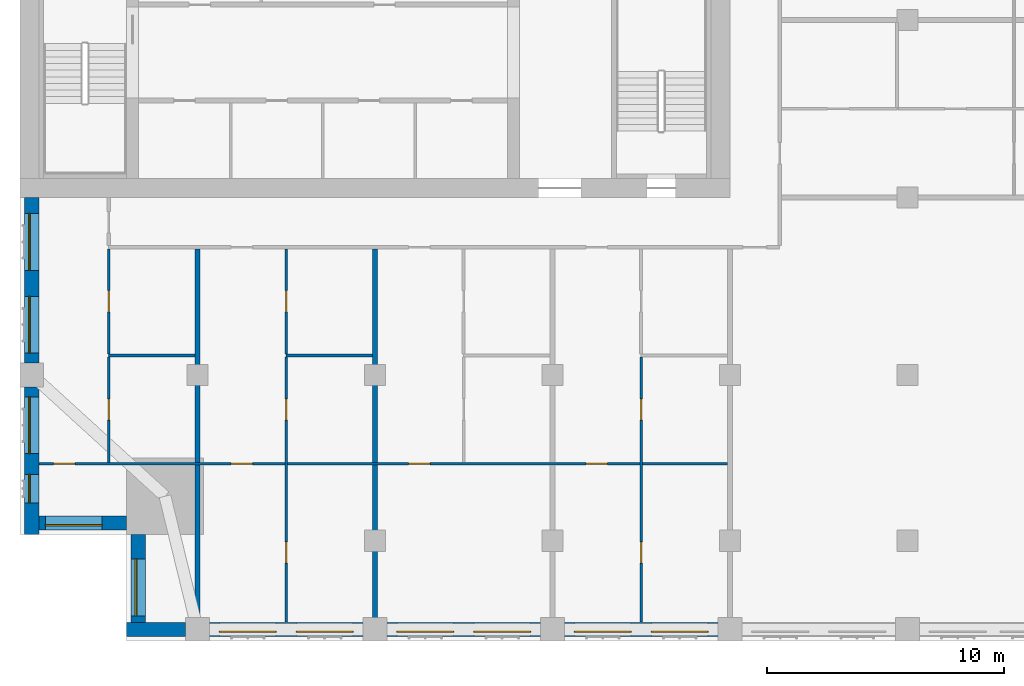
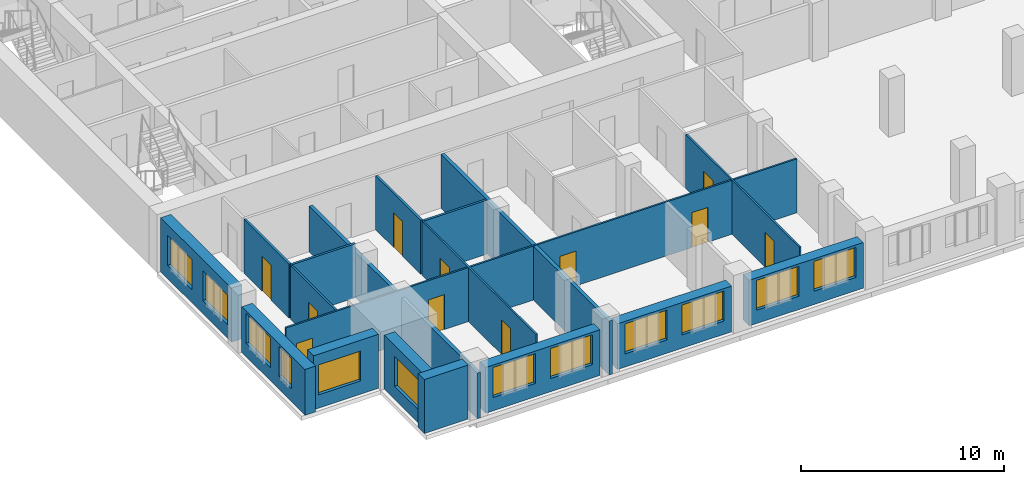
# One storey, part 6 of 14: 18 walls, 12 windows, 11 doors, 23 openings.
"""IFC4 building model written with IfcOpenShell, lengths in metres."""

from ifc_helpers import new_model, si_unit, direction, frame, frame_2d, origin, place, context, subcontext, project, spatial, rectangle, extrude, material, layer, layer_set, type_object, element, fill, save


model = new_model("IFC4")

# Units and contexts
model_context = context("Model", 3, precision=1e-05, world=origin(), true_north=direction((0.0, 1.0)))
body_context = subcontext(model_context, "Body", "Model", "MODEL_VIEW")
ifc_project = project(units=[si_unit("LENGTHUNIT", "METRE"), si_unit("AREAUNIT", "SQUARE_METRE"), si_unit("VOLUMEUNIT", "CUBIC_METRE"), si_unit("PLANEANGLEUNIT", "RADIAN"), si_unit("MASSUNIT", "GRAM", prefix="KILO")], contexts=[model_context])

# Site, building, storey
site_placement = place(None, origin())
site = spatial("IfcSite", under=ifc_project, at=site_placement, CompositionType="ELEMENT")
building_placement = place(site_placement, origin())
building = spatial("IfcBuilding", under=site, at=building_placement, Name="Tamorin Gate", CompositionType="ELEMENT")
storey_placement = place(building_placement, frame((0.0, 0.0, 200.199951171875)))
storey = spatial("IfcBuildingStorey", under=building, at=storey_placement, Name="L49", CompositionType="ELEMENT", Elevation=200.199951171875)

# Wall
ifc_material_1 = material(Name="Precast concrete C40/50", Category="concrete")
ifc_layer_1 = layer(ifc_material_1, 0.60009765625)
ifc_layer_set_1 = layer_set([ifc_layer_1], Name="Precast concrete C40/50")
wall_type_1 = type_object("IfcWallType", Name="Board-marked concrete facade panel 600", PredefinedType="SOLIDWALL", material=ifc_layer_set_1)
wall_1_placement = place(storey_placement, frame((34.5, 41.75, 0.0), z_axis=(0.0, 0.0, 1.0), x_axis=(1.0, 0.0, 0.0)))
element("IfcWall", 1, at=wall_1_placement, inside=storey, type_object=wall_type_1, Name="Facade panel", PredefinedType="SOLIDWALL", context=body_context, shape_type="SweptSolid", body=[
    extrude(rectangle(XDim=2.5, YDim=0.60009765625, at=frame_2d((1.25, 0.0))), origin(), (0.0, 0.0, 1.0), 3.25),
])

# Wall, openings, windows
wall_2_placement = place(storey_placement, frame((38.0, 41.75, 0.0), z_axis=(0.0, 0.0, 1.0), x_axis=(1.0, 0.0, 0.0)))
wall_2 = element("IfcWall", 2, at=wall_2_placement, inside=storey, type_object=wall_type_1, Name="Facade panel", PredefinedType="SOLIDWALL", context=body_context, shape_type="SweptSolid", body=[
    extrude(rectangle(XDim=6.5, YDim=0.60009765625, at=frame_2d((3.25, 0.0))), origin(), (0.0, 0.0, 1.0), 2.75),
])
opening_1_placement = place(wall_2_placement, frame((0.425048828125, 0.0, 0.800048828125)))
opening_1 = element("IfcOpeningElement", 3, at=opening_1_placement, cuts=wall_2, Name="Opening WN1", PredefinedType="OPENING", context=body_context, shape_type="SweptSolid", body=[
    extrude(rectangle(XDim=2.39990234375, YDim=1.800048828125, at=frame_2d((1.199951171875, 0.89990234375))), frame((0.0, 0.31005859375, 0.0), z_axis=(0.0, -1.0, 0.0), x_axis=(1.0, 0.0, 0.0)), (0.0, 0.0, 1.0), 0.6201171875),
])
opening_2_placement = place(wall_2_placement, frame((3.675048828125, 0.0, 0.800048828125)))
opening_2 = element("IfcOpeningElement", 4, at=opening_2_placement, cuts=wall_2, Name="Opening WN1", PredefinedType="OPENING", context=body_context, shape_type="SweptSolid", body=[
    extrude(rectangle(XDim=2.39990234375, YDim=1.800048828125, at=frame_2d((1.199951171875, 0.89990234375))), frame((0.0, 0.31005859375, 0.0), z_axis=(0.0, -1.0, 0.0), x_axis=(1.0, 0.0, 0.0)), (0.0, 0.0, 1.0), 0.6201171875),
])
ifc_material_2 = material(Name="Clear glass in aluminium frame", Category="aluminium")
window_type_1 = type_object("IfcWindowType", Name="Deep-set window 2400x1800", PartitioningType="SINGLE_PANEL", PredefinedType="WINDOW", material=ifc_material_2)
window_1_placement = place(opening_1_placement, origin())
window_1 = element("IfcWindow", 5, at=window_1_placement, inside=storey, type_object=window_type_1, Name="Deep-set window", OverallHeight=1.800048828125, OverallWidth=2.39990234375, PartitioningType="SINGLE_PANEL", PredefinedType="WINDOW", context=body_context, shape_type="SweptSolid", body=[
    extrude(rectangle(XDim=2.39990234375, YDim=1.800048828125, at=frame_2d((1.199951171875, 0.89990234375))), frame((0.0, -0.070068359375, 0.0), z_axis=(0.0, -1.0, 0.0), x_axis=(1.0, 0.0, 0.0)), (0.0, 0.0, 1.0), 0.06005859375),
])
fill(opening_1, window_1)
window_2_placement = place(opening_2_placement, origin())
window_2 = element("IfcWindow", 6, at=window_2_placement, inside=storey, type_object=window_type_1, Name="Deep-set window", OverallHeight=1.800048828125, OverallWidth=2.39990234375, PartitioningType="SINGLE_PANEL", PredefinedType="WINDOW", context=body_context, shape_type="SweptSolid", body=[
    extrude(rectangle(XDim=2.39990234375, YDim=1.800048828125, at=frame_2d((1.199951171875, 0.89990234375))), frame((0.0, -0.070068359375, 0.0), z_axis=(0.0, -1.0, 0.0), x_axis=(1.0, 0.0, 0.0)), (0.0, 0.0, 1.0), 0.06005859375),
])
fill(opening_2, window_2)

wall_3_placement = place(storey_placement, frame((45.5, 41.75, 0.0), z_axis=(0.0, 0.0, 1.0), x_axis=(1.0, 0.0, 0.0)))
wall_3 = element("IfcWall", 7, at=wall_3_placement, inside=storey, type_object=wall_type_1, Name="Facade panel", PredefinedType="SOLIDWALL", context=body_context, shape_type="SweptSolid", body=[
    extrude(rectangle(XDim=6.5, YDim=0.60009765625, at=frame_2d((3.25, 0.0))), origin(), (0.0, 0.0, 1.0), 2.75),
])
opening_3_placement = place(wall_3_placement, frame((0.425048828125, 0.0, 0.800048828125)))
opening_3 = element("IfcOpeningElement", 8, at=opening_3_placement, cuts=wall_3, Name="Opening WN1", PredefinedType="OPENING", context=body_context, shape_type="SweptSolid", body=[
    extrude(rectangle(XDim=2.39990234375, YDim=1.800048828125, at=frame_2d((1.199951171875, 0.89990234375))), frame((0.0, 0.31005859375, 0.0), z_axis=(0.0, -1.0, 0.0), x_axis=(1.0, 0.0, 0.0)), (0.0, 0.0, 1.0), 0.6201171875),
])
opening_4_placement = place(wall_3_placement, frame((3.675048828125, 0.0, 0.800048828125)))
opening_4 = element("IfcOpeningElement", 9, at=opening_4_placement, cuts=wall_3, Name="Opening WN1", PredefinedType="OPENING", context=body_context, shape_type="SweptSolid", body=[
    extrude(rectangle(XDim=2.39990234375, YDim=1.800048828125, at=frame_2d((1.199951171875, 0.89990234375))), frame((0.0, 0.31005859375, 0.0), z_axis=(0.0, -1.0, 0.0), x_axis=(1.0, 0.0, 0.0)), (0.0, 0.0, 1.0), 0.6201171875),
])
window_3_placement = place(opening_3_placement, origin())
window_3 = element("IfcWindow", 10, at=window_3_placement, inside=storey, type_object=window_type_1, Name="Deep-set window", OverallHeight=1.800048828125, OverallWidth=2.39990234375, PartitioningType="SINGLE_PANEL", PredefinedType="WINDOW", context=body_context, shape_type="SweptSolid", body=[
    extrude(rectangle(XDim=2.39990234375, YDim=1.800048828125, at=frame_2d((1.199951171875, 0.89990234375))), frame((0.0, -0.070068359375, 0.0), z_axis=(0.0, -1.0, 0.0), x_axis=(1.0, 0.0, 0.0)), (0.0, 0.0, 1.0), 0.06005859375),
])
fill(opening_3, window_3)
window_4_placement = place(opening_4_placement, origin())
window_4 = element("IfcWindow", 11, at=window_4_placement, inside=storey, type_object=window_type_1, Name="Deep-set window", OverallHeight=1.800048828125, OverallWidth=2.39990234375, PartitioningType="SINGLE_PANEL", PredefinedType="WINDOW", context=body_context, shape_type="SweptSolid", body=[
    extrude(rectangle(XDim=2.39990234375, YDim=1.800048828125, at=frame_2d((1.199951171875, 0.89990234375))), frame((0.0, -0.070068359375, 0.0), z_axis=(0.0, -1.0, 0.0), x_axis=(1.0, 0.0, 0.0)), (0.0, 0.0, 1.0), 0.06005859375),
])
fill(opening_4, window_4)

wall_4_placement = place(storey_placement, frame((53.0, 41.75, 0.0), z_axis=(0.0, 0.0, 1.0), x_axis=(1.0, 0.0, 0.0)))
wall_4 = element("IfcWall", 12, at=wall_4_placement, inside=storey, type_object=wall_type_1, Name="Facade panel", PredefinedType="SOLIDWALL", context=body_context, shape_type="SweptSolid", body=[
    extrude(rectangle(XDim=6.5, YDim=0.60009765625, at=frame_2d((3.25, 0.0))), origin(), (0.0, 0.0, 1.0), 2.75),
])
opening_5_placement = place(wall_4_placement, frame((0.425048828125, 0.0, 0.800048828125)))
opening_5 = element("IfcOpeningElement", 13, at=opening_5_placement, cuts=wall_4, Name="Opening WN1", PredefinedType="OPENING", context=body_context, shape_type="SweptSolid", body=[
    extrude(rectangle(XDim=2.39990234375, YDim=1.800048828125, at=frame_2d((1.199951171875, 0.89990234375))), frame((0.0, 0.31005859375, 0.0), z_axis=(0.0, -1.0, 0.0), x_axis=(1.0, 0.0, 0.0)), (0.0, 0.0, 1.0), 0.6201171875),
])
opening_6_placement = place(wall_4_placement, frame((3.675048828125, 0.0, 0.800048828125)))
opening_6 = element("IfcOpeningElement", 14, at=opening_6_placement, cuts=wall_4, Name="Opening WN1", PredefinedType="OPENING", context=body_context, shape_type="SweptSolid", body=[
    extrude(rectangle(XDim=2.39990234375, YDim=1.800048828125, at=frame_2d((1.199951171875, 0.89990234375))), frame((0.0, 0.31005859375, 0.0), z_axis=(0.0, -1.0, 0.0), x_axis=(1.0, 0.0, 0.0)), (0.0, 0.0, 1.0), 0.6201171875),
])
window_5_placement = place(opening_5_placement, origin())
window_5 = element("IfcWindow", 15, at=window_5_placement, inside=storey, type_object=window_type_1, Name="Deep-set window", OverallHeight=1.800048828125, OverallWidth=2.39990234375, PartitioningType="SINGLE_PANEL", PredefinedType="WINDOW", context=body_context, shape_type="SweptSolid", body=[
    extrude(rectangle(XDim=2.39990234375, YDim=1.800048828125, at=frame_2d((1.199951171875, 0.89990234375))), frame((0.0, -0.070068359375, 0.0), z_axis=(0.0, -1.0, 0.0), x_axis=(1.0, 0.0, 0.0)), (0.0, 0.0, 1.0), 0.06005859375),
])
fill(opening_5, window_5)
window_6_placement = place(opening_6_placement, origin())
window_6 = element("IfcWindow", 16, at=window_6_placement, inside=storey, type_object=window_type_1, Name="Deep-set window", OverallHeight=1.800048828125, OverallWidth=2.39990234375, PartitioningType="SINGLE_PANEL", PredefinedType="WINDOW", context=body_context, shape_type="SweptSolid", body=[
    extrude(rectangle(XDim=2.39990234375, YDim=1.800048828125, at=frame_2d((1.199951171875, 0.89990234375))), frame((0.0, -0.070068359375, 0.0), z_axis=(0.0, -1.0, 0.0), x_axis=(1.0, 0.0, 0.0)), (0.0, 0.0, 1.0), 0.06005859375),
])
fill(opening_6, window_6)

wall_5_placement = place(storey_placement, frame((30.5, 60.0, 0.0), z_axis=(0.0, 0.0, 1.0), x_axis=(0.0, -1.0, 0.0)))
wall_5 = element("IfcWall", 17, at=wall_5_placement, inside=storey, type_object=wall_type_1, Name="Facade panel", PredefinedType="SOLIDWALL", context=body_context, shape_type="SweptSolid", body=[
    extrude(rectangle(XDim=7.0, YDim=0.60009765625, at=frame_2d((3.5, 0.0))), origin(), (0.0, 0.0, 1.0), 3.25),
])
opening_7_placement = place(wall_5_placement, frame((4.175048828125, 0.0, 0.800048828125)))
opening_7 = element("IfcOpeningElement", 18, at=opening_7_placement, cuts=wall_5, Name="Opening WN1", PredefinedType="OPENING", context=body_context, shape_type="SweptSolid", body=[
    extrude(rectangle(XDim=2.39990234375, YDim=1.800048828125, at=frame_2d((1.199951171875, 0.89990234375))), frame((0.0, 0.31005859375, 0.0), z_axis=(0.0, -1.0, 0.0), x_axis=(1.0, 0.0, 0.0)), (0.0, 0.0, 1.0), 0.6201171875),
])
opening_8_placement = place(wall_5_placement, frame((0.675048828125, 0.0, 0.800048828125)))
opening_8 = element("IfcOpeningElement", 19, at=opening_8_placement, cuts=wall_5, Name="Opening WN1", PredefinedType="OPENING", context=body_context, shape_type="SweptSolid", body=[
    extrude(rectangle(XDim=2.39990234375, YDim=1.800048828125, at=frame_2d((1.199951171875, 0.89990234375))), frame((0.0, 0.31005859375, 0.0), z_axis=(0.0, -1.0, 0.0), x_axis=(1.0, 0.0, 0.0)), (0.0, 0.0, 1.0), 0.6201171875),
])
window_7_placement = place(opening_7_placement, origin())
window_7 = element("IfcWindow", 20, at=window_7_placement, inside=storey, type_object=window_type_1, Name="Deep-set window", OverallHeight=1.800048828125, OverallWidth=2.39990234375, PartitioningType="SINGLE_PANEL", PredefinedType="WINDOW", context=body_context, shape_type="SweptSolid", body=[
    extrude(rectangle(XDim=2.39990234375, YDim=1.800048828125, at=frame_2d((1.199951171875, 0.89990234375))), frame((0.0, -0.070068359375, 0.0), z_axis=(0.0, -1.0, 0.0), x_axis=(1.0, 0.0, 0.0)), (0.0, 0.0, 1.0), 0.06005859375),
])
fill(opening_7, window_7)
window_8_placement = place(opening_8_placement, origin())
window_8 = element("IfcWindow", 21, at=window_8_placement, inside=storey, type_object=window_type_1, Name="Deep-set window", OverallHeight=1.800048828125, OverallWidth=2.39990234375, PartitioningType="SINGLE_PANEL", PredefinedType="WINDOW", context=body_context, shape_type="SweptSolid", body=[
    extrude(rectangle(XDim=2.39990234375, YDim=1.800048828125, at=frame_2d((1.199951171875, 0.89990234375))), frame((0.0, -0.070068359375, 0.0), z_axis=(0.0, -1.0, 0.0), x_axis=(1.0, 0.0, 0.0)), (0.0, 0.0, 1.0), 0.06005859375),
])
fill(opening_8, window_8)

wall_6_placement = place(storey_placement, frame((30.5, 52.0, 0.0), z_axis=(0.0, 0.0, 1.0), x_axis=(0.0, -1.0, 0.0)))
wall_6 = element("IfcWall", 22, at=wall_6_placement, inside=storey, type_object=wall_type_1, Name="Facade panel", PredefinedType="SOLIDWALL", context=body_context, shape_type="SweptSolid", body=[
    extrude(rectangle(XDim=6.25, YDim=0.60009765625, at=frame_2d((3.125, 0.0))), origin(), (0.0, 0.0, 1.0), 2.75),
])
opening_9_placement = place(wall_6_placement, frame((3.699951171875, 0.0, 0.800048828125)))
opening_9 = element("IfcOpeningElement", 23, at=opening_9_placement, cuts=wall_6, Name="Opening WN3", PredefinedType="OPENING", context=body_context, shape_type="SweptSolid", body=[
    extrude(rectangle(XDim=1.199951171875, YDim=1.800048828125, at=frame_2d((0.60009765625, 0.89990234375))), frame((0.0, 0.31005859375, 0.0), z_axis=(0.0, -1.0, 0.0), x_axis=(1.0, 0.0, 0.0)), (0.0, 0.0, 1.0), 0.6201171875),
])
opening_10_placement = place(wall_6_placement, frame((0.425048828125, 0.0, 0.800048828125)))
opening_10 = element("IfcOpeningElement", 24, at=opening_10_placement, cuts=wall_6, Name="Opening WN1", PredefinedType="OPENING", context=body_context, shape_type="SweptSolid", body=[
    extrude(rectangle(XDim=2.39990234375, YDim=1.800048828125, at=frame_2d((1.199951171875, 0.89990234375))), frame((0.0, 0.31005859375, 0.0), z_axis=(0.0, -1.0, 0.0), x_axis=(1.0, 0.0, 0.0)), (0.0, 0.0, 1.0), 0.6201171875),
])
window_type_2 = type_object("IfcWindowType", Name="Deep-set window 1200x1800", PartitioningType="SINGLE_PANEL", PredefinedType="WINDOW", material=ifc_material_2)
window_9_placement = place(opening_9_placement, origin())
window_9 = element("IfcWindow", 25, at=window_9_placement, inside=storey, type_object=window_type_2, Name="Deep-set window", OverallHeight=1.800048828125, OverallWidth=1.199951171875, PartitioningType="SINGLE_PANEL", PredefinedType="WINDOW", context=body_context, shape_type="SweptSolid", body=[
    extrude(rectangle(XDim=1.199951171875, YDim=1.800048828125, at=frame_2d((0.60009765625, 0.89990234375))), frame((0.0, -0.070068359375, 0.0), z_axis=(0.0, -1.0, 0.0), x_axis=(1.0, 0.0, 0.0)), (0.0, 0.0, 1.0), 0.06005859375),
])
fill(opening_9, window_9)
window_10_placement = place(opening_10_placement, origin())
window_10 = element("IfcWindow", 26, at=window_10_placement, inside=storey, type_object=window_type_1, Name="Deep-set window", OverallHeight=1.800048828125, OverallWidth=2.39990234375, PartitioningType="SINGLE_PANEL", PredefinedType="WINDOW", context=body_context, shape_type="SweptSolid", body=[
    extrude(rectangle(XDim=2.39990234375, YDim=1.800048828125, at=frame_2d((1.199951171875, 0.89990234375))), frame((0.0, -0.070068359375, 0.0), z_axis=(0.0, -1.0, 0.0), x_axis=(1.0, 0.0, 0.0)), (0.0, 0.0, 1.0), 0.06005859375),
])
fill(opening_10, window_10)

# Wall, opening, window
wall_7_placement = place(storey_placement, frame((30.800048828125, 46.25, 0.0), z_axis=(0.0, 0.0, 1.0), x_axis=(1.0, 0.0, 0.0)))
wall_7 = element("IfcWall", 27, at=wall_7_placement, inside=storey, type_object=wall_type_1, Name="Facade panel", PredefinedType="SOLIDWALL", context=body_context, shape_type="SweptSolid", body=[
    extrude(rectangle(XDim=3.699951171875, YDim=0.60009765625, at=frame_2d((1.85009765625, 0.0))), origin(), (0.0, 0.0, 1.0), 3.25),
])
opening_11_placement = place(wall_7_placement, frame((0.27490234375, 0.0, 0.800048828125)))
opening_11 = element("IfcOpeningElement", 28, at=opening_11_placement, cuts=wall_7, Name="Opening WN1", PredefinedType="OPENING", context=body_context, shape_type="SweptSolid", body=[
    extrude(rectangle(XDim=2.39990234375, YDim=1.800048828125, at=frame_2d((1.199951171875, 0.89990234375))), frame((0.0, 0.31005859375, 0.0), z_axis=(0.0, -1.0, 0.0), x_axis=(1.0, 0.0, 0.0)), (0.0, 0.0, 1.0), 0.6201171875),
])
window_11_placement = place(opening_11_placement, origin())
window_11 = element("IfcWindow", 29, at=window_11_placement, inside=storey, type_object=window_type_1, Name="Deep-set window", OverallHeight=1.800048828125, OverallWidth=2.39990234375, PartitioningType="SINGLE_PANEL", PredefinedType="WINDOW", context=body_context, shape_type="SweptSolid", body=[
    extrude(rectangle(XDim=2.39990234375, YDim=1.800048828125, at=frame_2d((1.199951171875, 0.89990234375))), frame((0.0, -0.070068359375, 0.0), z_axis=(0.0, -1.0, 0.0), x_axis=(1.0, 0.0, 0.0)), (0.0, 0.0, 1.0), 0.06005859375),
])
fill(opening_11, window_11)

wall_8_placement = place(storey_placement, frame((35.0, 45.75, 0.0), z_axis=(0.0, 0.0, 1.0), x_axis=(0.0, -1.0, 0.0)))
wall_8 = element("IfcWall", 30, at=wall_8_placement, inside=storey, type_object=wall_type_1, Name="Facade panel", PredefinedType="SOLIDWALL", context=body_context, shape_type="SweptSolid", body=[
    extrude(rectangle(XDim=3.699951171875, YDim=0.60009765625, at=frame_2d((1.85009765625, 0.0))), origin(), (0.0, 0.0, 1.0), 3.25),
])
opening_12_placement = place(wall_8_placement, frame((1.02490234375, 0.0, 0.800048828125)))
opening_12 = element("IfcOpeningElement", 31, at=opening_12_placement, cuts=wall_8, Name="Opening WN1", PredefinedType="OPENING", context=body_context, shape_type="SweptSolid", body=[
    extrude(rectangle(XDim=2.39990234375, YDim=1.800048828125, at=frame_2d((1.199951171875, 0.89990234375))), frame((0.0, 0.31005859375, 0.0), z_axis=(0.0, -1.0, 0.0), x_axis=(1.0, 0.0, 0.0)), (0.0, 0.0, 1.0), 0.6201171875),
])
window_12_placement = place(opening_12_placement, origin())
window_12 = element("IfcWindow", 32, at=window_12_placement, inside=storey, type_object=window_type_1, Name="Deep-set window", OverallHeight=1.800048828125, OverallWidth=2.39990234375, PartitioningType="SINGLE_PANEL", PredefinedType="WINDOW", context=body_context, shape_type="SweptSolid", body=[
    extrude(rectangle(XDim=2.39990234375, YDim=1.800048828125, at=frame_2d((1.199951171875, 0.89990234375))), frame((0.0, -0.070068359375, 0.0), z_axis=(0.0, -1.0, 0.0), x_axis=(1.0, 0.0, 0.0)), (0.0, 0.0, 1.0), 0.06005859375),
])
fill(opening_12, window_12)

# Walls
ifc_material_3 = material(Name="Gypsum board partition")
ifc_layer_2 = layer(ifc_material_3, 0.199951171875)
ifc_layer_set_2 = layer_set([ifc_layer_2], Name="Demising wall 200")
wall_type_2 = type_object("IfcWallType", Name="Demising wall 200", PredefinedType="PARTITIONING", material=ifc_layer_set_2)
wall_9_placement = place(storey_placement, frame((37.5, 41.25, 0.0), z_axis=(0.0, 0.0, 1.0), x_axis=(0.0, 1.0, 0.0)))
element("IfcWall", 33, at=wall_9_placement, inside=storey, type_object=wall_type_2, Name="Demising wall 200", PredefinedType="PARTITIONING", context=body_context, shape_type="SweptSolid", body=[
    extrude(rectangle(XDim=16.574951171875, YDim=0.199951171875, at=frame_2d((8.28759765625, 0.0))), origin(), (0.0, 0.0, 1.0), 2.75),
])
wall_10_placement = place(storey_placement, frame((45.0, 41.25, 0.0), z_axis=(0.0, 0.0, 1.0), x_axis=(0.0, 1.0, 0.0)))
element("IfcWall", 34, at=wall_10_placement, inside=storey, type_object=wall_type_2, Name="Demising wall 200", PredefinedType="PARTITIONING", context=body_context, shape_type="SweptSolid", body=[
    extrude(rectangle(XDim=16.574951171875, YDim=0.199951171875, at=frame_2d((8.28759765625, 0.0))), origin(), (0.0, 0.0, 1.0), 3.25),
])

# Wall, openings, doors
ifc_layer_3 = layer(ifc_material_3, 0.10009765625)
ifc_layer_set_3 = layer_set([ifc_layer_3], Name="Room partition 100")
wall_type_3 = type_object("IfcWallType", Name="Room partition 100", PredefinedType="PARTITIONING", material=ifc_layer_set_3)
wall_11_placement = place(storey_placement, frame((30.81005859375, 48.75, 0.0), z_axis=(0.0, 0.0, 1.0), x_axis=(1.0, 0.0, 0.0)))
wall_11 = element("IfcWall", 35, at=wall_11_placement, inside=storey, type_object=wall_type_3, Name="Room partition 100", PredefinedType="PARTITIONING", context=body_context, shape_type="SweptSolid", body=[
    extrude(rectangle(XDim=29.08984375, YDim=0.10009765625, at=frame_2d((14.544921875, 0.0))), origin(), (0.0, 0.0, 1.0), 3.25),
])
opening_13_placement = place(wall_11_placement, frame((0.614990234375, 0.0, 0.0)))
opening_13 = element("IfcOpeningElement", 36, at=opening_13_placement, cuts=wall_11, Name="Opening DR3002", PredefinedType="OPENING", context=body_context, shape_type="SweptSolid", body=[
    extrude(rectangle(XDim=0.89990234375, YDim=2.10009765625, at=frame_2d((0.449951171875, 1.050048828125))), frame((0.0, 0.06005859375, 0.0), z_axis=(0.0, -1.0, 0.0), x_axis=(1.0, 0.0, 0.0)), (0.0, 0.0, 1.0), 0.1201171875),
])
opening_14_placement = place(wall_11_placement, frame((8.114990234375, 0.0, 0.0)))
opening_14 = element("IfcOpeningElement", 37, at=opening_14_placement, cuts=wall_11, Name="Opening DR3006", PredefinedType="OPENING", context=body_context, shape_type="SweptSolid", body=[
    extrude(rectangle(XDim=0.89990234375, YDim=2.10009765625, at=frame_2d((0.449951171875, 1.050048828125))), frame((0.0, 0.06005859375, 0.0), z_axis=(0.0, -1.0, 0.0), x_axis=(1.0, 0.0, 0.0)), (0.0, 0.0, 1.0), 0.1201171875),
])
opening_15_placement = place(wall_11_placement, frame((15.614990234375, 0.0, 0.0)))
opening_15 = element("IfcOpeningElement", 38, at=opening_15_placement, cuts=wall_11, Name="Opening DR3011", PredefinedType="OPENING", context=body_context, shape_type="SweptSolid", body=[
    extrude(rectangle(XDim=0.89990234375, YDim=2.10009765625, at=frame_2d((0.449951171875, 1.050048828125))), frame((0.0, 0.06005859375, 0.0), z_axis=(0.0, -1.0, 0.0), x_axis=(1.0, 0.0, 0.0)), (0.0, 0.0, 1.0), 0.1201171875),
])
opening_16_placement = place(wall_11_placement, frame((23.114990234375, 0.0, 0.0)))
opening_16 = element("IfcOpeningElement", 39, at=opening_16_placement, cuts=wall_11, Name="Opening DR3015", PredefinedType="OPENING", context=body_context, shape_type="SweptSolid", body=[
    extrude(rectangle(XDim=0.89990234375, YDim=2.10009765625, at=frame_2d((0.449951171875, 1.050048828125))), frame((0.0, 0.06005859375, 0.0), z_axis=(0.0, -1.0, 0.0), x_axis=(1.0, 0.0, 0.0)), (0.0, 0.0, 1.0), 0.1201171875),
])
ifc_material_4 = material(Name="Timber door leaf", Category="wood")
door_type = type_object("IfcDoorType", Name="Door 900 x 2100", OperationType="NOTDEFINED", PredefinedType="DOOR", material=ifc_material_4)
door_1_placement = place(opening_13_placement, origin())
door_1 = element("IfcDoor", 40, at=door_1_placement, inside=storey, type_object=door_type, Name="Door DR3002", OperationType="SINGLE_SWING_LEFT", OverallHeight=2.10009765625, OverallWidth=0.89990234375, PredefinedType="DOOR", context=body_context, shape_type="SweptSolid", body=[
    extrude(rectangle(XDim=0.89990234375, YDim=2.10009765625, at=frame_2d((0.449951171875, 1.050048828125))), frame((0.0, 0.02490234375, 0.0), z_axis=(0.0, -1.0, 0.0), x_axis=(1.0, 0.0, 0.0)), (0.0, 0.0, 1.0), 0.050048828125),
])
fill(opening_13, door_1)
door_2_placement = place(opening_14_placement, origin())
door_2 = element("IfcDoor", 41, at=door_2_placement, inside=storey, type_object=door_type, Name="Door DR3006", OperationType="SINGLE_SWING_LEFT", OverallHeight=2.10009765625, OverallWidth=0.89990234375, PredefinedType="DOOR", context=body_context, shape_type="SweptSolid", body=[
    extrude(rectangle(XDim=0.89990234375, YDim=2.10009765625, at=frame_2d((0.449951171875, 1.050048828125))), frame((0.0, 0.02490234375, 0.0), z_axis=(0.0, -1.0, 0.0), x_axis=(1.0, 0.0, 0.0)), (0.0, 0.0, 1.0), 0.050048828125),
])
fill(opening_14, door_2)
door_3_placement = place(opening_15_placement, origin())
door_3 = element("IfcDoor", 42, at=door_3_placement, inside=storey, type_object=door_type, Name="Door DR3011", OperationType="SINGLE_SWING_LEFT", OverallHeight=2.10009765625, OverallWidth=0.89990234375, PredefinedType="DOOR", context=body_context, shape_type="SweptSolid", body=[
    extrude(rectangle(XDim=0.89990234375, YDim=2.10009765625, at=frame_2d((0.449951171875, 1.050048828125))), frame((0.0, 0.02490234375, 0.0), z_axis=(0.0, -1.0, 0.0), x_axis=(1.0, 0.0, 0.0)), (0.0, 0.0, 1.0), 0.050048828125),
])
fill(opening_15, door_3)
door_4_placement = place(opening_16_placement, origin())
door_4 = element("IfcDoor", 43, at=door_4_placement, inside=storey, type_object=door_type, Name="Door DR3015", OperationType="SINGLE_SWING_LEFT", OverallHeight=2.10009765625, OverallWidth=0.89990234375, PredefinedType="DOOR", context=body_context, shape_type="SweptSolid", body=[
    extrude(rectangle(XDim=0.89990234375, YDim=2.10009765625, at=frame_2d((0.449951171875, 1.050048828125))), frame((0.0, 0.02490234375, 0.0), z_axis=(0.0, -1.0, 0.0), x_axis=(1.0, 0.0, 0.0)), (0.0, 0.0, 1.0), 0.050048828125),
])
fill(opening_16, door_4)

# Wall, opening, door
wall_12_placement = place(storey_placement, frame((33.75, 48.800048828125, 0.0), z_axis=(0.0, 0.0, 1.0), x_axis=(0.0, 1.0, 0.0)))
wall_12 = element("IfcWall", 44, at=wall_12_placement, inside=storey, type_object=wall_type_3, Name="Room partition 100", PredefinedType="PARTITIONING", context=body_context, shape_type="SweptSolid", body=[
    extrude(rectangle(XDim=4.46240234375, YDim=0.10009765625, at=frame_2d((2.231201171875, 0.0))), origin(), (0.0, 0.0, 1.0), 3.25),
])
opening_17_placement = place(wall_12_placement, frame((1.78759765625, 0.0, 0.0)))
opening_17 = element("IfcOpeningElement", 45, at=opening_17_placement, cuts=wall_12, Name="Opening DR3003", PredefinedType="OPENING", context=body_context, shape_type="SweptSolid", body=[
    extrude(rectangle(XDim=0.89990234375, YDim=2.10009765625, at=frame_2d((0.449951171875, 1.050048828125))), frame((0.0, 0.06005859375, 0.0), z_axis=(0.0, -1.0, 0.0), x_axis=(1.0, 0.0, 0.0)), (0.0, 0.0, 1.0), 0.1201171875),
])
door_5_placement = place(opening_17_placement, origin())
door_5 = element("IfcDoor", 46, at=door_5_placement, inside=storey, type_object=door_type, Name="Door DR3003", OperationType="SINGLE_SWING_RIGHT", OverallHeight=2.10009765625, OverallWidth=0.89990234375, PredefinedType="DOOR", context=body_context, shape_type="SweptSolid", body=[
    extrude(rectangle(XDim=0.89990234375, YDim=2.10009765625, at=frame_2d((0.449951171875, 1.050048828125))), frame((0.0, 0.02490234375, 0.0), z_axis=(0.0, -1.0, 0.0), x_axis=(1.0, 0.0, 0.0)), (0.0, 0.0, 1.0), 0.050048828125),
])
fill(opening_17, door_5)

# Wall, openings, doors
wall_13_placement = place(storey_placement, frame((41.25, 42.06005859375, 0.0), z_axis=(0.0, 0.0, 1.0), x_axis=(0.0, 1.0, 0.0)))
wall_13 = element("IfcWall", 47, at=wall_13_placement, inside=storey, type_object=wall_type_3, Name="Room partition 100", PredefinedType="PARTITIONING", context=body_context, shape_type="SweptSolid", body=[
    extrude(rectangle(XDim=11.202392578125, YDim=0.10009765625, at=frame_2d((5.60107421875, 0.0))), origin(), (0.0, 0.0, 1.0), 3.25),
])
opening_18_placement = place(wall_13_placement, frame((8.527587890625, 0.0, 0.0)))
opening_18 = element("IfcOpeningElement", 48, at=opening_18_placement, cuts=wall_13, Name="Opening DR3007", PredefinedType="OPENING", context=body_context, shape_type="SweptSolid", body=[
    extrude(rectangle(XDim=0.89990234375, YDim=2.10009765625, at=frame_2d((0.449951171875, 1.050048828125))), frame((0.0, 0.06005859375, 0.0), z_axis=(0.0, -1.0, 0.0), x_axis=(1.0, 0.0, 0.0)), (0.0, 0.0, 1.0), 0.1201171875),
])
opening_19_placement = place(wall_13_placement, frame((2.489990234375, 0.0, 0.0)))
opening_19 = element("IfcOpeningElement", 49, at=opening_19_placement, cuts=wall_13, Name="Opening DR3009", PredefinedType="OPENING", context=body_context, shape_type="SweptSolid", body=[
    extrude(rectangle(XDim=0.89990234375, YDim=2.10009765625, at=frame_2d((0.449951171875, 1.050048828125))), frame((0.0, 0.06005859375, 0.0), z_axis=(0.0, -1.0, 0.0), x_axis=(1.0, 0.0, 0.0)), (0.0, 0.0, 1.0), 0.1201171875),
])
door_6_placement = place(opening_18_placement, origin())
door_6 = element("IfcDoor", 50, at=door_6_placement, inside=storey, type_object=door_type, Name="Door DR3007", OperationType="SINGLE_SWING_RIGHT", OverallHeight=2.10009765625, OverallWidth=0.89990234375, PredefinedType="DOOR", context=body_context, shape_type="SweptSolid", body=[
    extrude(rectangle(XDim=0.89990234375, YDim=2.10009765625, at=frame_2d((0.449951171875, 1.050048828125))), frame((0.0, 0.02490234375, 0.0), z_axis=(0.0, -1.0, 0.0), x_axis=(1.0, 0.0, 0.0)), (0.0, 0.0, 1.0), 0.050048828125),
])
fill(opening_18, door_6)
door_7_placement = place(opening_19_placement, origin())
door_7 = element("IfcDoor", 51, at=door_7_placement, inside=storey, type_object=door_type, Name="Door DR3009", OperationType="SINGLE_SWING_LEFT", OverallHeight=2.10009765625, OverallWidth=0.89990234375, PredefinedType="DOOR", context=body_context, shape_type="SweptSolid", body=[
    extrude(rectangle(XDim=0.89990234375, YDim=2.10009765625, at=frame_2d((0.449951171875, 1.050048828125))), frame((0.0, 0.02490234375, 0.0), z_axis=(0.0, -1.0, 0.0), x_axis=(1.0, 0.0, 0.0)), (0.0, 0.0, 1.0), 0.050048828125),
])
fill(opening_19, door_7)

wall_14_placement = place(storey_placement, frame((56.25, 42.06005859375, 0.0), z_axis=(0.0, 0.0, 1.0), x_axis=(0.0, 1.0, 0.0)))
wall_14 = element("IfcWall", 52, at=wall_14_placement, inside=storey, type_object=wall_type_3, Name="Room partition 100", PredefinedType="PARTITIONING", context=body_context, shape_type="SweptSolid", body=[
    extrude(rectangle(XDim=11.202392578125, YDim=0.10009765625, at=frame_2d((5.60107421875, 0.0))), origin(), (0.0, 0.0, 1.0), 3.25),
])
opening_20_placement = place(wall_14_placement, frame((8.527587890625, 0.0, 0.0)))
opening_20 = element("IfcOpeningElement", 53, at=opening_20_placement, cuts=wall_14, Name="Opening DR3016", PredefinedType="OPENING", context=body_context, shape_type="SweptSolid", body=[
    extrude(rectangle(XDim=0.89990234375, YDim=2.10009765625, at=frame_2d((0.449951171875, 1.050048828125))), frame((0.0, 0.06005859375, 0.0), z_axis=(0.0, -1.0, 0.0), x_axis=(1.0, 0.0, 0.0)), (0.0, 0.0, 1.0), 0.1201171875),
])
opening_21_placement = place(wall_14_placement, frame((2.489990234375, 0.0, 0.0)))
opening_21 = element("IfcOpeningElement", 54, at=opening_21_placement, cuts=wall_14, Name="Opening DR3018", PredefinedType="OPENING", context=body_context, shape_type="SweptSolid", body=[
    extrude(rectangle(XDim=0.89990234375, YDim=2.10009765625, at=frame_2d((0.449951171875, 1.050048828125))), frame((0.0, 0.06005859375, 0.0), z_axis=(0.0, -1.0, 0.0), x_axis=(1.0, 0.0, 0.0)), (0.0, 0.0, 1.0), 0.1201171875),
])
door_8_placement = place(opening_20_placement, origin())
door_8 = element("IfcDoor", 55, at=door_8_placement, inside=storey, type_object=door_type, Name="Door DR3016", OperationType="SINGLE_SWING_RIGHT", OverallHeight=2.10009765625, OverallWidth=0.89990234375, PredefinedType="DOOR", context=body_context, shape_type="SweptSolid", body=[
    extrude(rectangle(XDim=0.89990234375, YDim=2.10009765625, at=frame_2d((0.449951171875, 1.050048828125))), frame((0.0, 0.02490234375, 0.0), z_axis=(0.0, -1.0, 0.0), x_axis=(1.0, 0.0, 0.0)), (0.0, 0.0, 1.0), 0.050048828125),
])
fill(opening_20, door_8)
door_9_placement = place(opening_21_placement, origin())
door_9 = element("IfcDoor", 56, at=door_9_placement, inside=storey, type_object=door_type, Name="Door DR3018", OperationType="SINGLE_SWING_LEFT", OverallHeight=2.10009765625, OverallWidth=0.89990234375, PredefinedType="DOOR", context=body_context, shape_type="SweptSolid", body=[
    extrude(rectangle(XDim=0.89990234375, YDim=2.10009765625, at=frame_2d((0.449951171875, 1.050048828125))), frame((0.0, 0.02490234375, 0.0), z_axis=(0.0, -1.0, 0.0), x_axis=(1.0, 0.0, 0.0)), (0.0, 0.0, 1.0), 0.050048828125),
])
fill(opening_21, door_9)

# Walls
ifc_layer_4 = layer(ifc_material_3, 0.125)
ifc_layer_set_4 = layer_set([ifc_layer_4], Name="Wet wall 125")
wall_type_4 = type_object("IfcWallType", Name="Wet wall 125", PredefinedType="PARTITIONING", material=ifc_layer_set_4)
for number, where, z_axis, x_axis, name in (
    (57, (33.75, 53.324951171875, 0.0), (0.0, 0.0, 1.0), (1.0, 0.0, 0.0), "Wet wall 125"),
    (58, (41.25, 53.324951171875, 0.0), (0.0, 0.0, 1.0), (1.0, 0.0, 0.0), "Wet wall 125"),
):
    element("IfcWall", number, at=place(storey_placement, frame(where, z_axis=z_axis, x_axis=x_axis)), inside=storey, type_object=wall_type_4, Name=name, PredefinedType="PARTITIONING", context=body_context, shape_type="SweptSolid", body=[
        extrude(rectangle(XDim=3.64990234375, YDim=0.125, at=frame_2d((1.824951171875, 0.0))), origin(), (0.0, 0.0, 1.0), 3.25),
    ])

# Wall, opening, door
wall_15_placement = place(storey_placement, frame((33.75, 53.387451171875, 0.0), z_axis=(0.0, 0.0, 1.0), x_axis=(0.0, 1.0, 0.0)))
wall_15 = element("IfcWall", 59, at=wall_15_placement, inside=storey, type_object=wall_type_4, Name="Wet wall 125", PredefinedType="PARTITIONING", context=body_context, shape_type="SweptSolid", body=[
    extrude(rectangle(XDim=4.4375, YDim=0.125, at=frame_2d((2.21875, 0.0))), origin(), (0.0, 0.0, 1.0), 3.25),
])
opening_22_placement = place(wall_15_placement, frame((1.77490234375, 0.0, 0.0)))
opening_22 = element("IfcOpeningElement", 60, at=opening_22_placement, cuts=wall_15, Name="Opening DR3004", PredefinedType="OPENING", context=body_context, shape_type="SweptSolid", body=[
    extrude(rectangle(XDim=0.89990234375, YDim=2.10009765625, at=frame_2d((0.449951171875, 1.050048828125))), frame((0.0, 0.072509765625, 0.0), z_axis=(0.0, -1.0, 0.0), x_axis=(1.0, 0.0, 0.0)), (0.0, 0.0, 1.0), 0.14501953125),
])
door_10_placement = place(opening_22_placement, origin())
door_10 = element("IfcDoor", 61, at=door_10_placement, inside=storey, type_object=door_type, Name="Door DR3004", OperationType="SINGLE_SWING_RIGHT", OverallHeight=2.10009765625, OverallWidth=0.89990234375, PredefinedType="DOOR", context=body_context, shape_type="SweptSolid", body=[
    extrude(rectangle(XDim=0.89990234375, YDim=2.10009765625, at=frame_2d((0.449951171875, 1.050048828125))), frame((0.0, 0.02490234375, 0.0), z_axis=(0.0, -1.0, 0.0), x_axis=(1.0, 0.0, 0.0)), (0.0, 0.0, 1.0), 0.050048828125),
])
fill(opening_22, door_10)

wall_16_placement = place(storey_placement, frame((41.25, 53.387451171875, 0.0), z_axis=(0.0, 0.0, 1.0), x_axis=(0.0, 1.0, 0.0)))
wall_16 = element("IfcWall", 62, at=wall_16_placement, inside=storey, type_object=wall_type_4, Name="Wet wall 125", PredefinedType="PARTITIONING", context=body_context, shape_type="SweptSolid", body=[
    extrude(rectangle(XDim=4.4375, YDim=0.125, at=frame_2d((2.21875, 0.0))), origin(), (0.0, 0.0, 1.0), 3.25),
])
opening_23_placement = place(wall_16_placement, frame((1.77490234375, 0.0, 0.0)))
opening_23 = element("IfcOpeningElement", 63, at=opening_23_placement, cuts=wall_16, Name="Opening DR3008", PredefinedType="OPENING", context=body_context, shape_type="SweptSolid", body=[
    extrude(rectangle(XDim=0.89990234375, YDim=2.10009765625, at=frame_2d((0.449951171875, 1.050048828125))), frame((0.0, 0.072509765625, 0.0), z_axis=(0.0, -1.0, 0.0), x_axis=(1.0, 0.0, 0.0)), (0.0, 0.0, 1.0), 0.14501953125),
])
door_11_placement = place(opening_23_placement, origin())
door_11 = element("IfcDoor", 64, at=door_11_placement, inside=storey, type_object=door_type, Name="Door DR3008", OperationType="SINGLE_SWING_RIGHT", OverallHeight=2.10009765625, OverallWidth=0.89990234375, PredefinedType="DOOR", context=body_context, shape_type="SweptSolid", body=[
    extrude(rectangle(XDim=0.89990234375, YDim=2.10009765625, at=frame_2d((0.449951171875, 1.050048828125))), frame((0.0, 0.02490234375, 0.0), z_axis=(0.0, -1.0, 0.0), x_axis=(1.0, 0.0, 0.0)), (0.0, 0.0, 1.0), 0.050048828125),
])
fill(opening_23, door_11)

save(model, "model.ifc")
